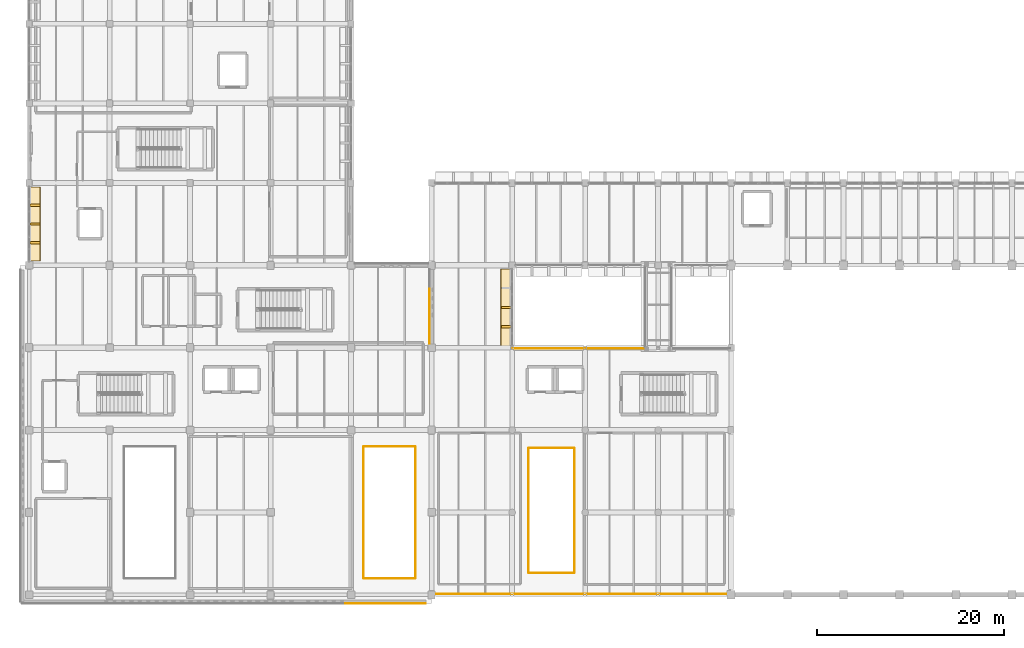
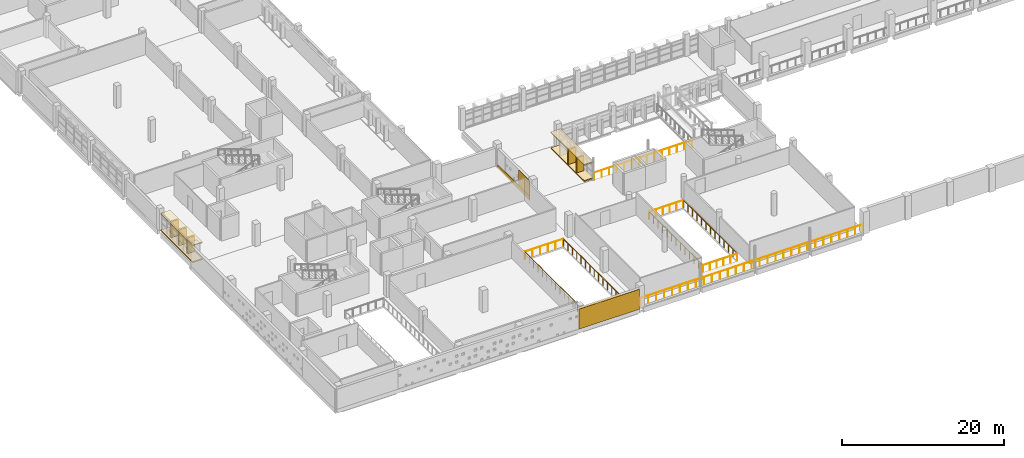
# One storey, part 68 of 75: 10 railings, 7 coverings, 5 shading devices.
"""IFC4 building model written with IfcOpenShell, lengths in metres."""

from ifc_helpers import new_model, si_unit, direction, frame, origin, origin_2d, place, context, subcontext, project, spatial, polyline, rectangle, circle, outline, extrude, material, layer, layer_set, type_object, element, save


model = new_model("IFC4")

# Units and contexts
model_context = context("Model", 3, precision=1e-05, world=origin(), true_north=direction((0.0, 1.0)))
body_context = subcontext(model_context, "Body", "Model", "MODEL_VIEW")
ifc_project = project(units=[si_unit("LENGTHUNIT", "METRE"), si_unit("AREAUNIT", "SQUARE_METRE"), si_unit("VOLUMEUNIT", "CUBIC_METRE"), si_unit("PLANEANGLEUNIT", "RADIAN"), si_unit("MASSUNIT", "GRAM", prefix="KILO")], contexts=[model_context])

# Site, building, storey
site_placement = place(None, origin())
site = spatial("IfcSite", under=ifc_project, at=site_placement, CompositionType="ELEMENT")
building_placement = place(site_placement, origin())
building = spatial("IfcBuilding", under=site, at=building_placement, Name="Varnakota Cinema and Media Centre", CompositionType="ELEMENT")
storey_placement = place(building_placement, frame((0.0, 0.0, 8.39990234375)))
storey = spatial("IfcBuildingStorey", under=building, at=storey_placement, Name="L02", CompositionType="ELEMENT", Elevation=8.39990234375)

# Coverings
ifc_material_1 = material(Name="Precast concrete M40", Category="concrete")
ifc_layer_1 = layer(ifc_material_1, 0.159912109375)
ifc_layer_set_1 = layer_set([ifc_layer_1], Name="Precast concrete M40")
covering_type_1 = type_object("IfcCoveringType", Name="COV-CHAJJA-160", PredefinedType="CLADDING", material=ifc_layer_set_1)
covering_1_placement = place(storey_placement, frame((0.0, 0.0, 2.4150390625)))
element("IfcCovering", 1, at=covering_1_placement, inside=storey, type_object=covering_type_1, Name="L02 Brutalist chajja overhang WLINK-E-1", PredefinedType="CLADDING", context=body_context, shape_type="SweptSolid", body=[
    extrude(outline(polyline([(51.780029296875, 26.60205078125), (51.780029296875, 34.81005859375), (50.3798828125, 34.81005859375), (50.3798828125, 26.60205078125), (51.780029296875, 26.60205078125)])), origin(), (0.0, 0.0, 1.0), 0.16015625),
])
covering_2_placement = place(storey_placement, origin())
element("IfcCovering", 2, at=covering_2_placement, inside=storey, type_object=covering_type_1, Name="L02 brise-soleil base plinth WLINK-E-1", PredefinedType="CLADDING", context=body_context, shape_type="SweptSolid", body=[
    extrude(outline(polyline([(51.780029296875, 26.60205078125), (51.780029296875, 34.81005859375), (50.419921875, 34.81005859375), (50.419921875, 26.60205078125), (51.780029296875, 26.60205078125)])), origin(), (0.0, 0.0, 1.0), 0.16015625),
])
covering_3_placement = place(storey_placement, frame((0.0, 0.0, 2.51513671875)))
element("IfcCovering", 3, at=covering_3_placement, inside=storey, type_object=covering_type_1, Name="L02 Brutalist chajja overhang V5-W-5", PredefinedType="CLADDING", context=body_context, shape_type="SweptSolid", body=[
    extrude(outline(polyline([(-0.179931640625, 43.5849609375), (-0.179931640625, 35.639892578125), (1.219970703125, 35.639892578125), (1.219970703125, 43.5849609375), (-0.179931640625, 43.5849609375)])), origin(), (0.0, 0.0, 1.0), 0.159912109375),
])
covering_4_placement = place(storey_placement, origin())
element("IfcCovering", 4, at=covering_4_placement, inside=storey, type_object=covering_type_1, Name="L02 brise-soleil base plinth V5-W-5", PredefinedType="CLADDING", context=body_context, shape_type="SweptSolid", body=[
    extrude(outline(polyline([(-0.179931640625, 43.5849609375), (-0.179931640625, 35.639892578125), (1.179931640625, 35.639892578125), (1.179931640625, 43.5849609375), (-0.179931640625, 43.5849609375)])), origin(), (0.0, 0.0, 1.0), 0.16015625),
])
ifc_material_2 = material(Name="Pale Tandur limestone cladding", Category="masonry")
ifc_layer_2 = layer(ifc_material_2, 0.06005859375)
ifc_layer_set_2 = layer_set([ifc_layer_2], Name="Pale Tandur limestone cladding")
covering_type_2 = type_object("IfcCoveringType", Name="COV-TANDUR-ASHLAR-60", PredefinedType="CLADDING", material=ifc_layer_set_2)
covering_5_placement = place(storey_placement, frame((38.074951171875, -0.945068359375, 0.330078125), z_axis=(0.0, 0.0, 1.0), x_axis=(-1.0, 0.0, 0.0)))
element("IfcCovering", 5, at=covering_5_placement, inside=storey, type_object=covering_type_2, Name="L02 V4 pale Tandur stone left corner ashlar V4-S", PredefinedType="CLADDING", context=body_context, shape_type="SweptSolid", body=[
    extrude(rectangle(XDim=8.64990234375, YDim=0.06005859375, at=origin_2d()), origin(), (0.0, 0.0, 1.0), 3.010009765625),
])
covering_6_placement = place(storey_placement, frame((42.794921875, 30.78759765625, -0.25), z_axis=(0.0, 0.0, 1.0), x_axis=(0.0, 1.0, 0.0)))
element("IfcCovering", 6, at=covering_6_placement, inside=storey, type_object=covering_type_2, Name="L02 V4 pale Tandur stone spandrel ashlar V4-CHE-01", PredefinedType="CLADDING", context=body_context, shape_type="SweptSolid", body=[
    extrude(rectangle(XDim=7.97509765625, YDim=0.06005859375, at=origin_2d()), origin(), (0.0, 0.0, 1.0), 0.580078125),
])
covering_7_placement = place(storey_placement, frame((42.794921875, 28.183837890625, 0.330078125), z_axis=(0.0, 0.0, 1.0), x_axis=(0.0, 1.0, 0.0)))
element("IfcCovering", 7, at=covering_7_placement, inside=storey, type_object=covering_type_2, Name="L02 V4 pale Tandur stone left corner ashlar V4-CHE-01", PredefinedType="CLADDING", context=body_context, shape_type="SweptSolid", body=[
    extrude(rectangle(XDim=2.767578125, YDim=0.06005859375, at=origin_2d()), origin(), (0.0, 0.0, 1.0), 2.344970703125),
])

# Railings
ifc_material_3 = material(Name="Anodised golden-bronze steel Grade 350 (E350)", Category="steel")
ifc_layer_3 = layer(ifc_material_3, 0.050048828125)
ifc_layer_set_3 = layer_set([ifc_layer_3], Name="Anodised golden-bronze steel Grade 350 (E350)")
railing_type = type_object("IfcRailingType", Name="RAIL-GUARD-1150", PredefinedType="BALUSTRADE", material=ifc_layer_set_3)
railing_1_placement = place(storey_placement, frame((43.110107421875, 0.080078125, 0.0)))
element("IfcRailing", 8, at=railing_1_placement, inside=storey, type_object=railing_type, Name="L02 guard balustrade GRD-V6GAL-S-L02-1", PredefinedType="BALUSTRADE", context=body_context, shape_type="SweptSolid", body=[
    extrude(circle(Radius=0.02392578125, at=origin_2d()), frame((0.0, 0.0, 1.1259765625), z_axis=(1.0, 0.0, 0.0), x_axis=(0.0, 1.0, 0.0)), (0.0, 0.0, 1.0), 31.77978515625),
    extrude(circle(Radius=0.02099609375, at=origin_2d()), origin(), (0.0, 0.0, 1.0), 1.101806640625),
    extrude(circle(Radius=0.02099609375, at=origin_2d()), frame((1.135009765625, 0.0, 0.0)), (0.0, 0.0, 1.0), 1.101806640625),
    extrude(circle(Radius=0.02099609375, at=origin_2d()), frame((2.27001953125, 0.0, 0.0)), (0.0, 0.0, 1.0), 1.101806640625),
    extrude(circle(Radius=0.02099609375, at=origin_2d()), frame((3.405029296875, 0.0, 0.0)), (0.0, 0.0, 1.0), 1.101806640625),
    extrude(circle(Radius=0.02099609375, at=origin_2d()), frame((4.5400390625, 0.0, 0.0)), (0.0, 0.0, 1.0), 1.101806640625),
    extrude(circle(Radius=0.02099609375, at=origin_2d()), frame((5.675048828125, 0.0, 0.0)), (0.0, 0.0, 1.0), 1.101806640625),
    extrude(circle(Radius=0.02099609375, at=origin_2d()), frame((6.81005859375, 0.0, 0.0)), (0.0, 0.0, 1.0), 1.101806640625),
    extrude(circle(Radius=0.02099609375, at=origin_2d()), frame((7.94482421875, 0.0, 0.0)), (0.0, 0.0, 1.0), 1.101806640625),
    extrude(circle(Radius=0.02099609375, at=origin_2d()), frame((9.079833984375, 0.0, 0.0)), (0.0, 0.0, 1.0), 1.101806640625),
    extrude(circle(Radius=0.02099609375, at=origin_2d()), frame((10.21484375, 0.0, 0.0)), (0.0, 0.0, 1.0), 1.101806640625),
    extrude(circle(Radius=0.02099609375, at=origin_2d()), frame((11.349853515625, 0.0, 0.0)), (0.0, 0.0, 1.0), 1.101806640625),
    extrude(circle(Radius=0.02099609375, at=origin_2d()), frame((12.48486328125, 0.0, 0.0)), (0.0, 0.0, 1.0), 1.101806640625),
    extrude(circle(Radius=0.02099609375, at=origin_2d()), frame((13.619873046875, 0.0, 0.0)), (0.0, 0.0, 1.0), 1.101806640625),
    extrude(circle(Radius=0.02099609375, at=origin_2d()), frame((14.7548828125, 0.0, 0.0)), (0.0, 0.0, 1.0), 1.101806640625),
    extrude(circle(Radius=0.02099609375, at=origin_2d()), frame((15.889892578125, 0.0, 0.0)), (0.0, 0.0, 1.0), 1.101806640625),
    extrude(circle(Radius=0.02099609375, at=origin_2d()), frame((17.02490234375, 0.0, 0.0)), (0.0, 0.0, 1.0), 1.101806640625),
    extrude(circle(Radius=0.02099609375, at=origin_2d()), frame((18.159912109375, 0.0, 0.0)), (0.0, 0.0, 1.0), 1.101806640625),
    extrude(circle(Radius=0.02099609375, at=origin_2d()), frame((19.294921875, 0.0, 0.0)), (0.0, 0.0, 1.0), 1.101806640625),
    extrude(circle(Radius=0.02099609375, at=origin_2d()), frame((20.429931640625, 0.0, 0.0)), (0.0, 0.0, 1.0), 1.101806640625),
    extrude(circle(Radius=0.02099609375, at=origin_2d()), frame((21.56494140625, 0.0, 0.0)), (0.0, 0.0, 1.0), 1.101806640625),
    extrude(circle(Radius=0.02099609375, at=origin_2d()), frame((22.699951171875, 0.0, 0.0)), (0.0, 0.0, 1.0), 1.101806640625),
    extrude(circle(Radius=0.02099609375, at=origin_2d()), frame((23.8349609375, 0.0, 0.0)), (0.0, 0.0, 1.0), 1.101806640625),
    extrude(circle(Radius=0.02099609375, at=origin_2d()), frame((24.9697265625, 0.0, 0.0)), (0.0, 0.0, 1.0), 1.101806640625),
    extrude(circle(Radius=0.02099609375, at=origin_2d()), frame((26.104736328125, 0.0, 0.0)), (0.0, 0.0, 1.0), 1.101806640625),
    extrude(circle(Radius=0.02099609375, at=origin_2d()), frame((27.23974609375, 0.0, 0.0)), (0.0, 0.0, 1.0), 1.101806640625),
    extrude(circle(Radius=0.02099609375, at=origin_2d()), frame((28.374755859375, 0.0, 0.0)), (0.0, 0.0, 1.0), 1.101806640625),
    extrude(circle(Radius=0.02099609375, at=origin_2d()), frame((29.509765625, 0.0, 0.0)), (0.0, 0.0, 1.0), 1.101806640625),
    extrude(circle(Radius=0.02099609375, at=origin_2d()), frame((30.644775390625, 0.0, 0.0)), (0.0, 0.0, 1.0), 1.101806640625),
    extrude(circle(Radius=0.02099609375, at=origin_2d()), frame((31.77978515625, 0.0, 0.0)), (0.0, 0.0, 1.0), 1.101806640625),
])
railing_2_placement = place(storey_placement, frame((51.679931640625, 26.320068359375, 0.0)))
element("IfcRailing", 9, at=railing_2_placement, inside=storey, type_object=railing_type, Name="L02 guard balustrade GRD-V6GAL-N1-L02-1", PredefinedType="BALUSTRADE", context=body_context, shape_type="SweptSolid", body=[
    extrude(circle(Radius=0.02392578125, at=origin_2d()), frame((0.0, 0.0, 1.1259765625), z_axis=(1.0, 0.0, 0.0), x_axis=(0.0, 1.0, 0.0)), (0.0, 0.0, 1.0), 13.940185546875),
    extrude(circle(Radius=0.02099609375, at=origin_2d()), origin(), (0.0, 0.0, 1.0), 1.101806640625),
    extrude(circle(Radius=0.02099609375, at=origin_2d()), frame((1.072265625, 0.0, 0.0)), (0.0, 0.0, 1.0), 1.101806640625),
    extrude(circle(Radius=0.02099609375, at=origin_2d()), frame((2.14453125, 0.0, 0.0)), (0.0, 0.0, 1.0), 1.101806640625),
    extrude(circle(Radius=0.02099609375, at=origin_2d()), frame((3.217041015625, 0.0, 0.0)), (0.0, 0.0, 1.0), 1.101806640625),
    extrude(circle(Radius=0.02099609375, at=origin_2d()), frame((4.289306640625, 0.0, 0.0)), (0.0, 0.0, 1.0), 1.101806640625),
    extrude(circle(Radius=0.02099609375, at=origin_2d()), frame((5.361572265625, 0.0, 0.0)), (0.0, 0.0, 1.0), 1.101806640625),
    extrude(circle(Radius=0.02099609375, at=origin_2d()), frame((6.433837890625, 0.0, 0.0)), (0.0, 0.0, 1.0), 1.101806640625),
    extrude(circle(Radius=0.02099609375, at=origin_2d()), frame((7.50634765625, 0.0, 0.0)), (0.0, 0.0, 1.0), 1.101806640625),
    extrude(circle(Radius=0.02099609375, at=origin_2d()), frame((8.57861328125, 0.0, 0.0)), (0.0, 0.0, 1.0), 1.101806640625),
    extrude(circle(Radius=0.02099609375, at=origin_2d()), frame((9.65087890625, 0.0, 0.0)), (0.0, 0.0, 1.0), 1.101806640625),
    extrude(circle(Radius=0.02099609375, at=origin_2d()), frame((10.72314453125, 0.0, 0.0)), (0.0, 0.0, 1.0), 1.101806640625),
    extrude(circle(Radius=0.02099609375, at=origin_2d()), frame((11.795654296875, 0.0, 0.0)), (0.0, 0.0, 1.0), 1.101806640625),
    extrude(circle(Radius=0.02099609375, at=origin_2d()), frame((12.867919921875, 0.0, 0.0)), (0.0, 0.0, 1.0), 1.101806640625),
    extrude(circle(Radius=0.02099609375, at=origin_2d()), frame((13.940185546875, 0.0, 0.0)), (0.0, 0.0, 1.0), 1.101806640625),
])
railing_3_placement = place(storey_placement, frame((53.3701171875, 2.340087890625, 0.0)))
element("IfcRailing", 10, at=railing_3_placement, inside=storey, type_object=railing_type, Name="L02 guard balustrade GRD-VOID-L02-1-1", PredefinedType="BALUSTRADE", context=body_context, shape_type="SweptSolid", body=[
    extrude(circle(Radius=0.02392578125, at=origin_2d()), frame((0.0, 0.0, 1.1259765625), z_axis=(1.0, 0.0, 0.0), x_axis=(0.0, 1.0, 0.0)), (0.0, 0.0, 1.0), 4.85986328125),
    extrude(circle(Radius=0.02099609375, at=origin_2d()), origin(), (0.0, 0.0, 1.0), 1.101806640625),
    extrude(circle(Radius=0.02099609375, at=origin_2d()), frame((0.971923828125, 0.0, 0.0)), (0.0, 0.0, 1.0), 1.101806640625),
    extrude(circle(Radius=0.02099609375, at=origin_2d()), frame((1.94384765625, 0.0, 0.0)), (0.0, 0.0, 1.0), 1.101806640625),
    extrude(circle(Radius=0.02099609375, at=origin_2d()), frame((2.916015625, 0.0, 0.0)), (0.0, 0.0, 1.0), 1.101806640625),
    extrude(circle(Radius=0.02099609375, at=origin_2d()), frame((3.887939453125, 0.0, 0.0)), (0.0, 0.0, 1.0), 1.101806640625),
    extrude(circle(Radius=0.02099609375, at=origin_2d()), frame((4.85986328125, 0.0, 0.0)), (0.0, 0.0, 1.0), 1.101806640625),
])
railing_4_placement = place(storey_placement, frame((58.260009765625, 2.3701171875, 0.0)))
element("IfcRailing", 11, at=railing_4_placement, inside=storey, type_object=railing_type, Name="L02 guard balustrade GRD-VOID-L02-1-2", PredefinedType="BALUSTRADE", context=body_context, shape_type="SweptSolid", body=[
    extrude(circle(Radius=0.02392578125, at=origin_2d()), frame((0.0, 0.0, 1.1259765625), z_axis=(0.0, 1.0, 0.0), x_axis=(-1.0, 0.0, 0.0)), (0.0, 0.0, 1.0), 13.259765625),
    extrude(circle(Radius=0.02099609375, at=origin_2d()), origin(), (0.0, 0.0, 1.0), 1.101806640625),
    extrude(circle(Radius=0.02099609375, at=origin_2d()), frame((0.0, 1.10498046875, 0.0)), (0.0, 0.0, 1.0), 1.101806640625),
    extrude(circle(Radius=0.02099609375, at=origin_2d()), frame((0.0, 2.2099609375, 0.0)), (0.0, 0.0, 1.0), 1.101806640625),
    extrude(circle(Radius=0.02099609375, at=origin_2d()), frame((0.0, 3.31494140625, 0.0)), (0.0, 0.0, 1.0), 1.101806640625),
    extrude(circle(Radius=0.02099609375, at=origin_2d()), frame((0.0, 4.419921875, 0.0)), (0.0, 0.0, 1.0), 1.101806640625),
    extrude(circle(Radius=0.02099609375, at=origin_2d()), frame((0.0, 5.52490234375, 0.0)), (0.0, 0.0, 1.0), 1.101806640625),
    extrude(circle(Radius=0.02099609375, at=origin_2d()), frame((0.0, 6.6298828125, 0.0)), (0.0, 0.0, 1.0), 1.101806640625),
    extrude(circle(Radius=0.02099609375, at=origin_2d()), frame((0.0, 7.73486328125, 0.0)), (0.0, 0.0, 1.0), 1.101806640625),
    extrude(circle(Radius=0.02099609375, at=origin_2d()), frame((0.0, 8.83984375, 0.0)), (0.0, 0.0, 1.0), 1.101806640625),
    extrude(circle(Radius=0.02099609375, at=origin_2d()), frame((0.0, 9.94482421875, 0.0)), (0.0, 0.0, 1.0), 1.101806640625),
    extrude(circle(Radius=0.02099609375, at=origin_2d()), frame((0.0, 11.0498046875, 0.0)), (0.0, 0.0, 1.0), 1.101806640625),
    extrude(circle(Radius=0.02099609375, at=origin_2d()), frame((0.0, 12.15478515625, 0.0)), (0.0, 0.0, 1.0), 1.101806640625),
    extrude(circle(Radius=0.02099609375, at=origin_2d()), frame((0.0, 13.259765625, 0.0)), (0.0, 0.0, 1.0), 1.101806640625),
])
railing_5_placement = place(storey_placement, frame((58.22998046875, 15.659912109375, 0.0)))
element("IfcRailing", 12, at=railing_5_placement, inside=storey, type_object=railing_type, Name="L02 guard balustrade GRD-VOID-L02-1-3", PredefinedType="BALUSTRADE", context=body_context, shape_type="SweptSolid", body=[
    extrude(circle(Radius=0.02392578125, at=origin_2d()), frame((0.0, 0.0, 1.1259765625), z_axis=(-1.0, 0.0, 0.0), x_axis=(0.0, -1.0, 0.0)), (0.0, 0.0, 1.0), 4.85986328125),
    extrude(circle(Radius=0.02099609375, at=origin_2d()), origin(), (0.0, 0.0, 1.0), 1.101806640625),
    extrude(circle(Radius=0.02099609375, at=origin_2d()), frame((-0.971923828125, 0.0, 0.0)), (0.0, 0.0, 1.0), 1.101806640625),
    extrude(circle(Radius=0.02099609375, at=origin_2d()), frame((-1.94384765625, 0.0, 0.0)), (0.0, 0.0, 1.0), 1.101806640625),
    extrude(circle(Radius=0.02099609375, at=origin_2d()), frame((-2.916015625, 0.0, 0.0)), (0.0, 0.0, 1.0), 1.101806640625),
    extrude(circle(Radius=0.02099609375, at=origin_2d()), frame((-3.887939453125, 0.0, 0.0)), (0.0, 0.0, 1.0), 1.101806640625),
    extrude(circle(Radius=0.02099609375, at=origin_2d()), frame((-4.85986328125, 0.0, 0.0)), (0.0, 0.0, 1.0), 1.101806640625),
])
railing_6_placement = place(storey_placement, frame((53.340087890625, 15.6298828125, 0.0)))
element("IfcRailing", 13, at=railing_6_placement, inside=storey, type_object=railing_type, Name="L02 guard balustrade GRD-VOID-L02-1-4", PredefinedType="BALUSTRADE", context=body_context, shape_type="SweptSolid", body=[
    extrude(circle(Radius=0.02392578125, at=origin_2d()), frame((0.0, 0.0, 1.1259765625), z_axis=(0.0, -1.0, 0.0), x_axis=(1.0, 0.0, 0.0)), (0.0, 0.0, 1.0), 13.259765625),
    extrude(circle(Radius=0.02099609375, at=origin_2d()), origin(), (0.0, 0.0, 1.0), 1.101806640625),
    extrude(circle(Radius=0.02099609375, at=origin_2d()), frame((0.0, -1.10498046875, 0.0)), (0.0, 0.0, 1.0), 1.101806640625),
    extrude(circle(Radius=0.02099609375, at=origin_2d()), frame((0.0, -2.2099609375, 0.0)), (0.0, 0.0, 1.0), 1.101806640625),
    extrude(circle(Radius=0.02099609375, at=origin_2d()), frame((0.0, -3.31494140625, 0.0)), (0.0, 0.0, 1.0), 1.101806640625),
    extrude(circle(Radius=0.02099609375, at=origin_2d()), frame((0.0, -4.419921875, 0.0)), (0.0, 0.0, 1.0), 1.101806640625),
    extrude(circle(Radius=0.02099609375, at=origin_2d()), frame((0.0, -5.52490234375, 0.0)), (0.0, 0.0, 1.0), 1.101806640625),
    extrude(circle(Radius=0.02099609375, at=origin_2d()), frame((0.0, -6.6298828125, 0.0)), (0.0, 0.0, 1.0), 1.101806640625),
    extrude(circle(Radius=0.02099609375, at=origin_2d()), frame((0.0, -7.73486328125, 0.0)), (0.0, 0.0, 1.0), 1.101806640625),
    extrude(circle(Radius=0.02099609375, at=origin_2d()), frame((0.0, -8.83984375, 0.0)), (0.0, 0.0, 1.0), 1.101806640625),
    extrude(circle(Radius=0.02099609375, at=origin_2d()), frame((0.0, -9.94482421875, 0.0)), (0.0, 0.0, 1.0), 1.101806640625),
    extrude(circle(Radius=0.02099609375, at=origin_2d()), frame((0.0, -11.0498046875, 0.0)), (0.0, 0.0, 1.0), 1.101806640625),
    extrude(circle(Radius=0.02099609375, at=origin_2d()), frame((0.0, -12.15478515625, 0.0)), (0.0, 0.0, 1.0), 1.101806640625),
    extrude(circle(Radius=0.02099609375, at=origin_2d()), frame((0.0, -13.259765625, 0.0)), (0.0, 0.0, 1.0), 1.101806640625),
])
railing_7_placement = place(storey_placement, frame((35.77001953125, 1.739990234375, 0.0)))
element("IfcRailing", 14, at=railing_7_placement, inside=storey, type_object=railing_type, Name="L02 guard balustrade GRD-VOID-L02-3-1", PredefinedType="BALUSTRADE", context=body_context, shape_type="SweptSolid", body=[
    extrude(circle(Radius=0.02392578125, at=origin_2d()), frame((0.0, 0.0, 1.1259765625), z_axis=(1.0, 0.0, 0.0), x_axis=(0.0, 1.0, 0.0)), (0.0, 0.0, 1.0), 5.4599609375),
    extrude(circle(Radius=0.02099609375, at=origin_2d()), origin(), (0.0, 0.0, 1.0), 1.101806640625),
    extrude(circle(Radius=0.02099609375, at=origin_2d()), frame((1.092041015625, 0.0, 0.0)), (0.0, 0.0, 1.0), 1.101806640625),
    extrude(circle(Radius=0.02099609375, at=origin_2d()), frame((2.18408203125, 0.0, 0.0)), (0.0, 0.0, 1.0), 1.101806640625),
    extrude(circle(Radius=0.02099609375, at=origin_2d()), frame((3.27587890625, 0.0, 0.0)), (0.0, 0.0, 1.0), 1.101806640625),
    extrude(circle(Radius=0.02099609375, at=origin_2d()), frame((4.367919921875, 0.0, 0.0)), (0.0, 0.0, 1.0), 1.101806640625),
    extrude(circle(Radius=0.02099609375, at=origin_2d()), frame((5.4599609375, 0.0, 0.0)), (0.0, 0.0, 1.0), 1.101806640625),
])
railing_8_placement = place(storey_placement, frame((41.260009765625, 1.77001953125, 0.0)))
element("IfcRailing", 15, at=railing_8_placement, inside=storey, type_object=railing_type, Name="L02 guard balustrade GRD-VOID-L02-3-2", PredefinedType="BALUSTRADE", context=body_context, shape_type="SweptSolid", body=[
    extrude(circle(Radius=0.02392578125, at=origin_2d()), frame((0.0, 0.0, 1.1259765625), z_axis=(0.0, 1.0, 0.0), x_axis=(-1.0, 0.0, 0.0)), (0.0, 0.0, 1.0), 14.06005859375),
    extrude(circle(Radius=0.02099609375, at=origin_2d()), origin(), (0.0, 0.0, 1.0), 1.101806640625),
    extrude(circle(Radius=0.02099609375, at=origin_2d()), frame((0.0, 1.08154296875, 0.0)), (0.0, 0.0, 1.0), 1.101806640625),
    extrude(circle(Radius=0.02099609375, at=origin_2d()), frame((0.0, 2.1630859375, 0.0)), (0.0, 0.0, 1.0), 1.101806640625),
    extrude(circle(Radius=0.02099609375, at=origin_2d()), frame((0.0, 3.24462890625, 0.0)), (0.0, 0.0, 1.0), 1.101806640625),
    extrude(circle(Radius=0.02099609375, at=origin_2d()), frame((0.0, 4.326171875, 0.0)), (0.0, 0.0, 1.0), 1.101806640625),
    extrude(circle(Radius=0.02099609375, at=origin_2d()), frame((0.0, 5.40771484375, 0.0)), (0.0, 0.0, 1.0), 1.101806640625),
    extrude(circle(Radius=0.02099609375, at=origin_2d()), frame((0.0, 6.4892578125, 0.0)), (0.0, 0.0, 1.0), 1.101806640625),
    extrude(circle(Radius=0.02099609375, at=origin_2d()), frame((0.0, 7.57080078125, 0.0)), (0.0, 0.0, 1.0), 1.101806640625),
    extrude(circle(Radius=0.02099609375, at=origin_2d()), frame((0.0, 8.65234375, 0.0)), (0.0, 0.0, 1.0), 1.101806640625),
    extrude(circle(Radius=0.02099609375, at=origin_2d()), frame((0.0, 9.73388671875, 0.0)), (0.0, 0.0, 1.0), 1.101806640625),
    extrude(circle(Radius=0.02099609375, at=origin_2d()), frame((0.0, 10.8154296875, 0.0)), (0.0, 0.0, 1.0), 1.101806640625),
    extrude(circle(Radius=0.02099609375, at=origin_2d()), frame((0.0, 11.89697265625, 0.0)), (0.0, 0.0, 1.0), 1.101806640625),
    extrude(circle(Radius=0.02099609375, at=origin_2d()), frame((0.0, 12.978515625, 0.0)), (0.0, 0.0, 1.0), 1.101806640625),
    extrude(circle(Radius=0.02099609375, at=origin_2d()), frame((0.0, 14.06005859375, 0.0)), (0.0, 0.0, 1.0), 1.101806640625),
])
railing_9_placement = place(storey_placement, frame((41.22998046875, 15.860107421875, 0.0)))
element("IfcRailing", 16, at=railing_9_placement, inside=storey, type_object=railing_type, Name="L02 guard balustrade GRD-VOID-L02-3-3", PredefinedType="BALUSTRADE", context=body_context, shape_type="SweptSolid", body=[
    extrude(circle(Radius=0.02392578125, at=origin_2d()), frame((0.0, 0.0, 1.1259765625), z_axis=(-1.0, 0.0, 0.0), x_axis=(0.0, -1.0, 0.0)), (0.0, 0.0, 1.0), 5.4599609375),
    extrude(circle(Radius=0.02099609375, at=origin_2d()), origin(), (0.0, 0.0, 1.0), 1.101806640625),
    extrude(circle(Radius=0.02099609375, at=origin_2d()), frame((-1.092041015625, 0.0, 0.0)), (0.0, 0.0, 1.0), 1.101806640625),
    extrude(circle(Radius=0.02099609375, at=origin_2d()), frame((-2.18408203125, 0.0, 0.0)), (0.0, 0.0, 1.0), 1.101806640625),
    extrude(circle(Radius=0.02099609375, at=origin_2d()), frame((-3.27587890625, 0.0, 0.0)), (0.0, 0.0, 1.0), 1.101806640625),
    extrude(circle(Radius=0.02099609375, at=origin_2d()), frame((-4.367919921875, 0.0, 0.0)), (0.0, 0.0, 1.0), 1.101806640625),
    extrude(circle(Radius=0.02099609375, at=origin_2d()), frame((-5.4599609375, 0.0, 0.0)), (0.0, 0.0, 1.0), 1.101806640625),
])
railing_10_placement = place(storey_placement, frame((35.739990234375, 15.830078125, 0.0)))
element("IfcRailing", 17, at=railing_10_placement, inside=storey, type_object=railing_type, Name="L02 guard balustrade GRD-VOID-L02-3-4", PredefinedType="BALUSTRADE", context=body_context, shape_type="SweptSolid", body=[
    extrude(circle(Radius=0.02392578125, at=origin_2d()), frame((0.0, 0.0, 1.1259765625), z_axis=(0.0, -1.0, 0.0), x_axis=(1.0, 0.0, 0.0)), (0.0, 0.0, 1.0), 14.06005859375),
    extrude(circle(Radius=0.02099609375, at=origin_2d()), origin(), (0.0, 0.0, 1.0), 1.101806640625),
    extrude(circle(Radius=0.02099609375, at=origin_2d()), frame((0.0, -1.08154296875, 0.0)), (0.0, 0.0, 1.0), 1.101806640625),
    extrude(circle(Radius=0.02099609375, at=origin_2d()), frame((0.0, -2.1630859375, 0.0)), (0.0, 0.0, 1.0), 1.101806640625),
    extrude(circle(Radius=0.02099609375, at=origin_2d()), frame((0.0, -3.24462890625, 0.0)), (0.0, 0.0, 1.0), 1.101806640625),
    extrude(circle(Radius=0.02099609375, at=origin_2d()), frame((0.0, -4.326171875, 0.0)), (0.0, 0.0, 1.0), 1.101806640625),
    extrude(circle(Radius=0.02099609375, at=origin_2d()), frame((0.0, -5.40771484375, 0.0)), (0.0, 0.0, 1.0), 1.101806640625),
    extrude(circle(Radius=0.02099609375, at=origin_2d()), frame((0.0, -6.4892578125, 0.0)), (0.0, 0.0, 1.0), 1.101806640625),
    extrude(circle(Radius=0.02099609375, at=origin_2d()), frame((0.0, -7.57080078125, 0.0)), (0.0, 0.0, 1.0), 1.101806640625),
    extrude(circle(Radius=0.02099609375, at=origin_2d()), frame((0.0, -8.65234375, 0.0)), (0.0, 0.0, 1.0), 1.101806640625),
    extrude(circle(Radius=0.02099609375, at=origin_2d()), frame((0.0, -9.73388671875, 0.0)), (0.0, 0.0, 1.0), 1.101806640625),
    extrude(circle(Radius=0.02099609375, at=origin_2d()), frame((0.0, -10.8154296875, 0.0)), (0.0, 0.0, 1.0), 1.101806640625),
    extrude(circle(Radius=0.02099609375, at=origin_2d()), frame((0.0, -11.89697265625, 0.0)), (0.0, 0.0, 1.0), 1.101806640625),
    extrude(circle(Radius=0.02099609375, at=origin_2d()), frame((0.0, -12.978515625, 0.0)), (0.0, 0.0, 1.0), 1.101806640625),
    extrude(circle(Radius=0.02099609375, at=origin_2d()), frame((0.0, -14.06005859375, 0.0)), (0.0, 0.0, 1.0), 1.101806640625),
])

# Shading devices
ifc_material_4 = material(Name="Precast concrete M40", Category="concrete")
shading_device_type = type_object("IfcShadingDeviceType", Name="SHD-BRISE-FIN-240", PredefinedType="JALOUSIE", material=ifc_material_4)
for number, where, z_axis, x_axis, name in (
    (18, (50.969970703125, 28.634033203125, 0.150146484375), (0.0, 0.0, 1.0), (0.0, 1.0, 0.0), "L02 vertical concrete brise-soleil fin WLINK-E-1.1"),
    (19, (50.969970703125, 30.7060546875, 0.150146484375), (0.0, 0.0, 1.0), (0.0, 1.0, 0.0), "L02 vertical concrete brise-soleil fin WLINK-E-1.2"),
):
    element("IfcShadingDevice", number, at=place(storey_placement, frame(where, z_axis=z_axis, x_axis=x_axis)), inside=storey, type_object=shading_device_type, Name=name, PredefinedType="JALOUSIE", context=body_context, shape_type="SweptSolid", body=[
        extrude(rectangle(XDim=0.239990234375, YDim=1.02001953125, at=origin_2d()), origin(), (0.0, 0.0, 1.0), 2.27490234375),
    ])
for number, where, z_axis, x_axis, name in (
    (20, (0.6298828125, 41.618896484375, 0.150146484375), (0.0, 0.0, 1.0), (0.0, -1.0, 0.0), "L02 vertical concrete brise-soleil fin V5-W-5.1"),
    (21, (0.6298828125, 39.612548828125, 0.150146484375), (0.0, 0.0, 1.0), (0.0, -1.0, 0.0), "L02 vertical concrete brise-soleil fin V5-W-5.2"),
    (22, (0.6298828125, 37.606201171875, 0.150146484375), (0.0, 0.0, 1.0), (0.0, -1.0, 0.0), "L02 vertical concrete brise-soleil fin V5-W-5.3"),
):
    element("IfcShadingDevice", number, at=place(storey_placement, frame(where, z_axis=z_axis, x_axis=x_axis)), inside=storey, type_object=shading_device_type, Name=name, PredefinedType="JALOUSIE", context=body_context, shape_type="SweptSolid", body=[
        extrude(rectangle(XDim=0.239990234375, YDim=1.02001953125, at=origin_2d()), origin(), (0.0, 0.0, 1.0), 2.375),
    ])

save(model, "model.ifc")
